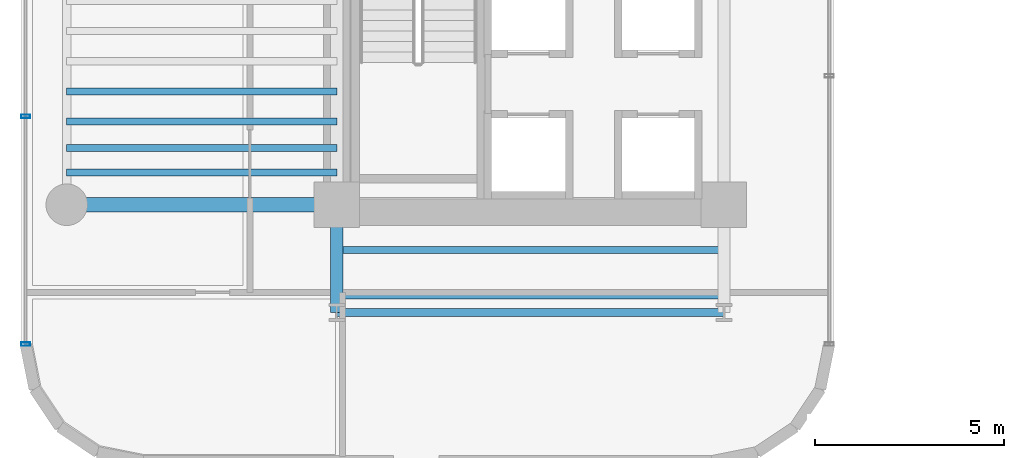
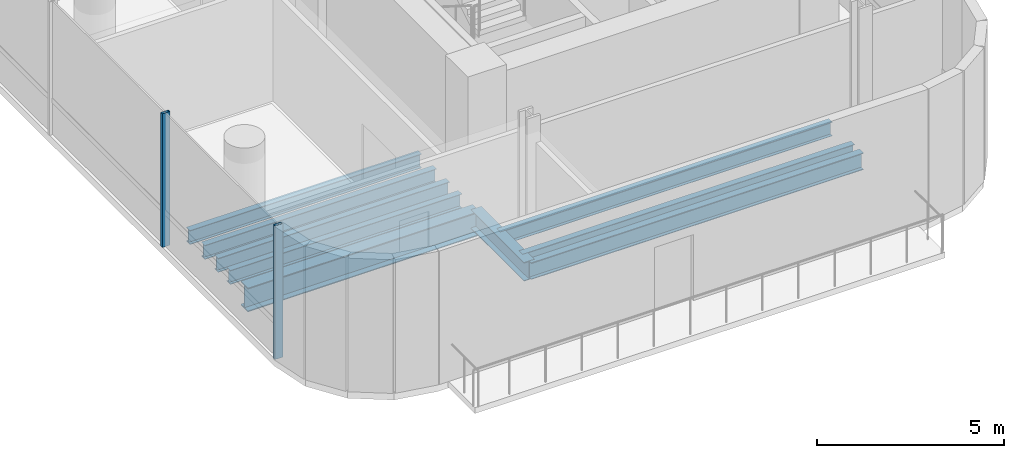
# One storey, part 2 of 32: 9 beams, 2 members, 1 element without a shape of its own.
"""IFC4 building model written with IfcOpenShell, lengths in metres."""

import ifcopenshell
import ifcopenshell.guid

model = None  # the IFC model being written
_history = None  # IfcOwnerHistory: only IFC2X3 demands one
_inside = {}  # id of a spatial element -> (the spatial element, [elements in it])
_under = {}  # id of a project, library or spatial element -> (it, [spatial elements below it])
_declared = {}  # id of a project -> (the project, [libraries it declares])
_typed = {}  # id of a type object -> (the type object, [elements of that type])
_made_of = {}  # id of a material, layer set ... -> (it, [elements and type objects made of it])


def new_model(schema):
    """Start an empty IFC model of exactly this schema.

    Asked for "IFC4X3", IfcOpenShell would pick the latest addendum, in which some entities
    have other attributes; the version numbers below select the first issue.
    IFC2X3 requires an IfcOwnerHistory on every rooted entity: one is made here for all.
    """
    global model, _history
    if schema == "IFC4X3":
        model = ifcopenshell.file(schema_version=(4, 3, 0, 0))
    else:
        model = ifcopenshell.file(schema=schema)
    _inside.clear()
    _under.clear()
    _declared.clear()
    _typed.clear()
    _made_of.clear()
    _history = None
    if model.schema == "IFC2X3":
        org = make("IfcOrganization", Name="unknown")
        user = make(
            "IfcPersonAndOrganization",
            ThePerson=make("IfcPerson", FamilyName="unknown"),
            TheOrganization=org,
        )
        app = make(
            "IfcApplication",
            ApplicationDeveloper=org,
            Version="unknown",
            ApplicationFullName="unknown",
            ApplicationIdentifier="unknown",
        )
        _history = make(
            "IfcOwnerHistory",
            OwningUser=user,
            OwningApplication=app,
            ChangeAction="ADDED",
            CreationDate=0,
        )
    return model


def make(cls, **values):
    """One entity of the class cls with the attributes given. An attribute that is None is left unset."""
    return model.create_entity(
        cls, **{name: value for name, value in values.items() if value is not None}
    )


def rooted(cls, **values):
    """An entity with a GlobalId (a new one), such as an element, a storey or a relation."""
    return make(cls, GlobalId=ifcopenshell.guid.new(), OwnerHistory=_history, **values)


def si_unit(unit_type, name, prefix=None):
    """IfcSIUnit, for example si_unit("LENGTHUNIT", "METRE", prefix="MILLI")."""
    return make("IfcSIUnit", UnitType=unit_type, Prefix=prefix, Name=name)


def assignment(units):
    """IfcUnitAssignment: the units of a project."""
    return None if units is None else make("IfcUnitAssignment", Units=units)


def point(xyz):
    """IfcCartesianPoint."""
    return None if xyz is None else make("IfcCartesianPoint", Coordinates=xyz)


def direction(xyz):
    """IfcDirection."""
    return None if xyz is None else make("IfcDirection", DirectionRatios=xyz)


def frame(location, z_axis=None, x_axis=None):
    """IfcAxis2Placement3D, a coordinate frame: its origin and axes. An axis left out is left unset."""
    return make(
        "IfcAxis2Placement3D",
        Location=point(location),
        Axis=direction(z_axis),
        RefDirection=direction(x_axis),
    )


def frame_2d(location, x_axis=None):
    """IfcAxis2Placement2D, a coordinate frame in the plane: its origin and x axis."""
    return make(
        "IfcAxis2Placement2D", Location=point(location), RefDirection=direction(x_axis)
    )


def origin():
    """The frame at (0, 0, 0) with its axes left unset."""
    return frame((0.0, 0.0, 0.0))


def origin_2d():
    """The frame at (0, 0) in the plane with its x axis left unset."""
    return frame_2d((0.0, 0.0))


def place(relative_to, where):
    """IfcLocalPlacement: puts the frame where relative to a parent placement (None: the world)."""
    return make(
        "IfcLocalPlacement", PlacementRelTo=relative_to, RelativePlacement=where
    )


def context(
    kind, dimensions, precision=None, world=None, true_north=None, identifier=None
):
    """IfcGeometricRepresentationContext, for example the 3D "Model" context."""
    return make(
        "IfcGeometricRepresentationContext",
        ContextIdentifier=identifier,
        ContextType=kind,
        CoordinateSpaceDimension=dimensions,
        Precision=precision,
        WorldCoordinateSystem=world,
        TrueNorth=true_north,
    )


def subcontext(parent, identifier, kind, view, scale=None):
    """IfcGeometricRepresentationSubContext, for example "Body" below "Model"."""
    return make(
        "IfcGeometricRepresentationSubContext",
        ContextIdentifier=identifier,
        ContextType=kind,
        ParentContext=parent,
        TargetScale=scale,
        TargetView=view,
    )


def project(units=None, contexts=None):
    """IfcProject with its units and contexts."""
    return rooted(
        "IfcProject",
        Name="project",
        RepresentationContexts=contexts,
        UnitsInContext=assignment(units),
    )


def spatial(cls, under=None, at=None, **own):
    """A site, building, storey or space (cls), placed at a placement, below another one or the project."""
    s = rooted(cls, ObjectPlacement=at, **own)
    if under is not None:
        _under.setdefault(under.id(), (under, []))[1].append(s)
    return s


def profile(cls, at=None, kind="AREA", **sizes):
    """A parametric profile (cls). Its sizes go by their IFC names, for example OverallWidth=200.0."""
    return make(cls, ProfileType=kind, Position=at, **sizes)


def hollow_rectangle(**sizes):
    """IfcRectangleHollowProfileDef."""
    return profile("IfcRectangleHollowProfileDef", **sizes)


def i_section(**sizes):
    """IfcIShapeProfileDef."""
    return profile("IfcIShapeProfileDef", **sizes)


def extrude(swept, where, along, depth):
    """IfcExtrudedAreaSolid: the profile swept, set in the frame where, extruded along a direction by depth."""
    return make(
        "IfcExtrudedAreaSolid",
        SweptArea=swept,
        Position=where,
        ExtrudedDirection=direction(along),
        Depth=depth,
    )


def shape(context_of_items, identifier, shape_type, items):
    """IfcShapeRepresentation: the items that make up one representation, for example the "Body"."""
    return make(
        "IfcShapeRepresentation",
        ContextOfItems=context_of_items,
        RepresentationIdentifier=identifier,
        RepresentationType=shape_type,
        Items=items,
    )


def source(mapping_origin, context_of_items, identifier, shape_type, items):
    """IfcRepresentationMap: a shape defined once, which mapped items show again and again."""
    return make(
        "IfcRepresentationMap",
        MappingOrigin=mapping_origin,
        MappedRepresentation=shape(context_of_items, identifier, shape_type, items),
    )


def transform(
    local_origin,
    x_axis=None,
    y_axis=None,
    z_axis=None,
    scale=None,
    scale2=None,
    scale3=None,
    uniform=True,
):
    """IfcCartesianTransformationOperator3D, or its non-uniform kind. x_axis, y_axis, z_axis: its Axis1, 2, 3."""
    if uniform:
        return make(
            "IfcCartesianTransformationOperator3D",
            Axis1=direction(x_axis),
            Axis2=direction(y_axis),
            LocalOrigin=point(local_origin),
            Scale=scale,
            Axis3=direction(z_axis),
        )
    return make(
        "IfcCartesianTransformationOperator3DnonUniform",
        Axis1=direction(x_axis),
        Axis2=direction(y_axis),
        LocalOrigin=point(local_origin),
        Scale=scale,
        Axis3=direction(z_axis),
        Scale2=scale2,
        Scale3=scale3,
    )


def mapped(mapping_source, mapping_target):
    """IfcMappedItem: shows the shape of a source again, moved by a transform."""
    return make(
        "IfcMappedItem", MappingSource=mapping_source, MappingTarget=mapping_target
    )


def material(Name=None, Category=None):
    """IfcMaterial."""
    return make("IfcMaterial", Name=Name, Category=Category)


def material_profile(
    of_material, cross_section, Name=None, Category=None, Priority=None
):
    """IfcMaterialProfile: a cross section and its material."""
    return make(
        "IfcMaterialProfile",
        Name=Name,
        Material=of_material,
        Profile=cross_section,
        Priority=Priority,
        Category=Category,
    )


def profile_set(profiles, Name=None, composite=None):
    """IfcMaterialProfileSet."""
    return make(
        "IfcMaterialProfileSet",
        Name=Name,
        MaterialProfiles=profiles,
        CompositeProfile=composite,
    )


def made_of(thing, what):
    """Note that an element or type object is made of a material, layer set ...; save() writes the relation."""
    if what is not None:
        _made_of.setdefault(what.id(), (what, []))[1].append(thing)
    return thing


def type_object(cls, material=None, **own):
    """A type object (cls), such as IfcWallType, which elements share."""
    return made_of(rooted(cls, **own), material)


def element(
    cls,
    number,
    at=None,
    inside=None,
    cuts=None,
    type_object=None,
    material=None,
    context=None,
    identifier="Body",
    shape_type=None,
    held_by="IfcProductDefinitionShape",
    body=None,
    shapes=None,
    **own,
):
    """One element of the class cls, such as IfcWall. Its Tag is "e" and its number.

    at: its placement. inside: the storey or other place that contains it. cuts: it is an
    opening in that element (IfcRelVoidsElement). A single representation is given by context,
    identifier, shape_type and body (its items); several are given by shapes. held_by: the class
    of the entity that holds the representations. save() writes the other relations.
    """
    e = rooted(cls, Tag="e%d" % number, ObjectPlacement=at, **own)
    if body is not None:
        shapes = [shape(context, identifier, shape_type, body)]
    if shapes is not None:
        e.Representation = make(held_by, Representations=shapes)
    if inside is not None:
        _inside.setdefault(inside.id(), (inside, []))[1].append(e)
    if cuts is not None:
        rooted(
            "IfcRelVoidsElement", RelatingBuildingElement=cuts, RelatedOpeningElement=e
        )
    if type_object is not None:
        _typed.setdefault(type_object.id(), (type_object, []))[1].append(e)
    return made_of(e, material)


def aggregate(whole, parts):
    """IfcRelAggregates: a whole, such as a stair, and the parts it consists of."""
    return rooted("IfcRelAggregates", RelatingObject=whole, RelatedObjects=parts)


def save(model, path):
    """Write the relations noted so far, then the file.

    IfcRelAggregates (storeys below a building ...), IfcRelContainedInSpatialStructure (elements
    in a storey), IfcRelDefinesByType, IfcRelAssociatesMaterial and IfcRelDeclares: one each for
    every whole, place, type object, material and project.
    """
    for whole, parts in _under.values():
        aggregate(whole, parts)
    for where, things in _inside.values():
        rooted(
            "IfcRelContainedInSpatialStructure",
            RelatedElements=things,
            RelatingStructure=where,
        )
    for kind, things in _typed.values():
        rooted("IfcRelDefinesByType", RelatedObjects=things, RelatingType=kind)
    for what, things in _made_of.values():
        rooted("IfcRelAssociatesMaterial", RelatedObjects=things, RelatingMaterial=what)
    for by, libraries in _declared.values():
        rooted("IfcRelDeclares", RelatingContext=by, RelatedDefinitions=libraries)
    model.write(path)


model = new_model("IFC4")

# Units and contexts
model_context = context("Model", 3, precision=1e-05, world=origin(), true_north=direction((0.0, 1.0)))
body_context = subcontext(model_context, "Body", "Model", "MODEL_VIEW")
ifc_project = project(units=[si_unit("LENGTHUNIT", "METRE"), si_unit("AREAUNIT", "SQUARE_METRE"), si_unit("VOLUMEUNIT", "CUBIC_METRE"), si_unit("PLANEANGLEUNIT", "RADIAN"), si_unit("MASSUNIT", "GRAM", prefix="KILO")], contexts=[model_context])

# Site, building, storey
site_placement = place(None, origin())
site = spatial("IfcSite", under=ifc_project, at=site_placement, CompositionType="ELEMENT")
building_placement = place(site_placement, origin())
building = spatial("IfcBuilding", under=site, at=building_placement, Name="Valdorenza Pilgrim Sanctuary Tower", CompositionType="ELEMENT")
storey_placement = place(building_placement, frame((0.0, 0.0, 101.10009765625)))
storey = spatial("IfcBuildingStorey", under=building, at=storey_placement, Name="L25", CompositionType="ELEMENT", Elevation=101.10009765625)

# Beams
ifc_material_1 = material(Name="Steel ASTM A992 Grade 50", Category="steel")
ifc_material_profile_1 = material_profile(ifc_material_1, i_section(OverallWidth=0.214111328125, OverallDepth=0.549072265625, WebThickness=0.0146484375, FlangeThickness=0.023681640625, at=origin_2d()), Name="W21X93")
ifc_profile_set_1 = profile_set([ifc_material_profile_1], Name="Steel ASTM A992 Grade 50")
beam_type_1 = type_object("IfcBeamType", Name="STR-BM-SPN-W21A", PredefinedType="SPANDREL", material=ifc_profile_set_1)
shared_shape_1 = source(origin(), body_context, "Body", "SweptSolid", [
    extrude(i_section(OverallWidth=0.214111328125, OverallDepth=0.549072265625, WebThickness=0.0146484375, FlangeThickness=0.023681640625, at=origin_2d()), origin(), (0.0, 0.0, 1.0), 10.25),
])
beam_1_placement = place(storey_placement, frame((-22.64990234375, -13.449951171875, -0.5146484375), z_axis=(1.0, 0.0, 0.0), x_axis=(0.0, 1.0, 0.0)))
element("IfcBeam", 1, at=beam_1_placement, inside=storey, type_object=beam_type_1, Name="L25 South Spandrel WA-S-TIE", PredefinedType="SPANDREL", context=body_context, shape_type="MappedRepresentation", body=[
    mapped(shared_shape_1, transform((0.0, 0.0, 0.0), x_axis=(1.0, 0.0, 0.0), y_axis=(0.0, 1.0, 0.0), z_axis=(0.0, 0.0, 1.0), scale=1.0)),
])
ifc_material_profile_2 = material_profile(ifc_material_1, i_section(OverallWidth=0.323974609375, OverallDepth=0.611083984375, WebThickness=0.0126953125, FlangeThickness=0.01904296875, at=origin_2d()), Name="W24X104")
ifc_profile_set_2 = profile_set([ifc_material_profile_2], Name="Steel ASTM A992 Grade 50")
beam_type_2 = type_object("IfcBeamType", Name="STR-BM-GRD-W24B", PredefinedType="BEAM", material=ifc_profile_set_2)
shared_shape_2 = source(origin(), body_context, "Body", "SweptSolid", [
    extrude(i_section(OverallWidth=0.323974609375, OverallDepth=0.611083984375, WebThickness=0.0126953125, FlangeThickness=0.01904296875, at=origin_2d()), origin(), (0.0, 0.0, 1.0), 2.849853515625),
])
beam_2_placement = place(storey_placement, frame((-22.64990234375, -13.449951171875, -0.545654296875), z_axis=(0.0, 1.0, 0.0), x_axis=(-1.0, 0.0, 0.0)))
element("IfcBeam", 2, at=beam_2_placement, inside=storey, type_object=beam_type_2, Name="L25 Floor Girder WA-S-LW", PredefinedType="BEAM", context=body_context, shape_type="MappedRepresentation", body=[
    mapped(shared_shape_2, transform((0.0, 0.0, 0.0), x_axis=(1.0, 0.0, 0.0), y_axis=(0.0, 1.0, 0.0), z_axis=(0.0, 0.0, 1.0), scale=1.0)),
])
ifc_material_profile_3 = material_profile(ifc_material_1, i_section(OverallWidth=0.382080078125, OverallDepth=0.779052734375, WebThickness=0.01806640625, FlangeThickness=0.030029296875, at=origin_2d()), Name="W30X191")
ifc_profile_set_3 = profile_set([ifc_material_profile_3], Name="Steel ASTM A992 Grade 50")
beam_type_3 = type_object("IfcBeamType", Name="STR-BM-GRD-W30", PredefinedType="BEAM", material=ifc_profile_set_3)
shared_shape_3 = source(origin(), body_context, "Body", "SweptSolid", [
    extrude(i_section(OverallWidth=0.382080078125, OverallDepth=0.779052734375, WebThickness=0.01806640625, FlangeThickness=0.030029296875, at=origin_2d()), origin(), (0.0, 0.0, 1.0), 7.150146484375),
])
beam_3_placement = place(storey_placement, frame((-29.800048828125, -10.60009765625, -0.629638671875), z_axis=(1.0, 0.0, 0.0), x_axis=(0.0, 1.0, 0.0)))
element("IfcBeam", 3, at=beam_3_placement, inside=storey, type_object=beam_type_3, Name="L25 Floor Girder WA-XW-S1", PredefinedType="BEAM", context=body_context, shape_type="MappedRepresentation", body=[
    mapped(shared_shape_3, transform((0.0, 0.0, 0.0), x_axis=(1.0, 0.0, 0.0), y_axis=(0.0, 1.0, 0.0), z_axis=(0.0, 0.0, 1.0), scale=1.0)),
])
ifc_material_profile_4 = material_profile(ifc_material_1, i_section(OverallWidth=0.19091796875, OverallDepth=0.45703125, WebThickness=0.009033203125, FlangeThickness=0.014404296875, at=origin_2d()), Name="W18X50")
ifc_profile_set_4 = profile_set([ifc_material_profile_4], Name="Steel ASTM A992 Grade 50")
beam_type_4 = type_object("IfcBeamType", Name="STR-BM-JST-W18B", PredefinedType="JOIST", material=ifc_profile_set_4)
shared_shape_4 = source(origin(), body_context, "Body", "SweptSolid", [
    extrude(i_section(OverallWidth=0.19091796875, OverallDepth=0.45703125, WebThickness=0.009033203125, FlangeThickness=0.014404296875, at=origin_2d()), origin(), (0.0, 0.0, 1.0), 10.25),
])
for number, where, z_axis, x_axis, name in (
    (4, (-22.64990234375, -13.0, -0.468505859375), (1.0, 0.0, 0.0), (0.0, 1.0, 0.0), "L25 Composite Floor Joist JST-WAS-1"),
    (5, (-22.64990234375, -11.800048828125, -0.468505859375), (1.0, 0.0, 0.0), (0.0, 1.0, 0.0), "L25 Composite Floor Joist JST-WAS-2"),
):
    element("IfcBeam", number, at=place(storey_placement, frame(where, z_axis=z_axis, x_axis=x_axis)), inside=storey, type_object=beam_type_4, Name=name, PredefinedType="JOIST", context=body_context, shape_type="MappedRepresentation", body=[
        mapped(shared_shape_4, transform((0.0, 0.0, 0.0), x_axis=(1.0, 0.0, 0.0), y_axis=(0.0, 1.0, 0.0), z_axis=(0.0, 0.0, 1.0), scale=1.0)),
    ])
shared_shape_5 = source(origin(), body_context, "Body", "SweptSolid", [
    extrude(i_section(OverallWidth=0.19091796875, OverallDepth=0.45703125, WebThickness=0.009033203125, FlangeThickness=0.014404296875, at=origin_2d()), origin(), (0.0, 0.0, 1.0), 7.150146484375),
])
for number, where, z_axis, x_axis, name in (
    (6, (-29.800048828125, -9.75, -0.468505859375), (1.0, 0.0, 0.0), (0.0, 1.0, 0.0), "L25 Composite Floor Joist JST-WA-1"),
    (7, (-29.800048828125, -9.10009765625, -0.468505859375), (1.0, 0.0, 0.0), (0.0, 1.0, 0.0), "L25 Composite Floor Joist JST-WA-2"),
    (8, (-29.800048828125, -8.39990234375, -0.468505859375), (1.0, 0.0, 0.0), (0.0, 1.0, 0.0), "L25 Composite Floor Joist JST-WA-3"),
    (9, (-29.800048828125, -7.60009765625, -0.468505859375), (1.0, 0.0, 0.0), (0.0, 1.0, 0.0), "L25 Composite Floor Joist JST-WA-4"),
):
    element("IfcBeam", number, at=place(storey_placement, frame(where, z_axis=z_axis, x_axis=x_axis)), inside=storey, type_object=beam_type_4, Name=name, PredefinedType="JOIST", context=body_context, shape_type="MappedRepresentation", body=[
        mapped(shared_shape_5, transform((0.0, 0.0, 0.0), x_axis=(1.0, 0.0, 0.0), y_axis=(0.0, 1.0, 0.0), z_axis=(0.0, 0.0, 1.0), scale=1.0)),
    ])

# Curtain wall, members
ifc_material_2 = material(Name="Curtain-wall IGU glazing", Category="glass")
curtain_wall_type = type_object("IfcCurtainWallType", Name="CW-SYS-04", PredefinedType="NOTDEFINED", material=ifc_material_2)
curtain_wall_placement = place(storey_placement, origin())
curtain_wall = element("IfcCurtainWall", 10, at=curtain_wall_placement, inside=storey, type_object=curtain_wall_type, Name="L25 Curtain Wall CW-L25-1-1", PredefinedType="NOTDEFINED")
ifc_material_3 = material(Name="Anodised aluminium AW-6060", Category="aluminium")
ifc_material_profile_5 = material_profile(ifc_material_3, hollow_rectangle(XDim=0.090087890625, YDim=0.239990234375, WallThickness=0.0048828125, at=origin_2d()), Name="ALU-M 240x90x5")
ifc_profile_set_5 = profile_set([ifc_material_profile_5], Name="Anodised aluminium AW-6060")
member_type = type_object("IfcMemberType", Name="CW-MUL-04", PredefinedType="MULLION", material=ifc_profile_set_5)
shared_shape_6 = source(origin(), body_context, "Body", "SweptSolid", [
    extrude(hollow_rectangle(XDim=0.090087890625, YDim=0.239990234375, WallThickness=0.0048828125, at=origin_2d()), origin(), (0.0, 0.0, 1.0), 4.35986328125),
])
member_1_placement = place(storey_placement, frame((-30.889892578125, -14.289306640625, 0.0), z_axis=(0.0, 0.0, 1.0), x_axis=(0.0, 1.0, 0.0)))
member_1 = element("IfcMember", 11, at=member_1_placement, type_object=member_type, Name="CW-L25-1-1 Mullion 1", PredefinedType="MULLION", context=body_context, shape_type="MappedRepresentation", body=[
    mapped(shared_shape_6, transform((0.0, 0.0, 0.0), x_axis=(1.0, 0.0, 0.0), y_axis=(0.0, 1.0, 0.0), z_axis=(0.0, 0.0, 1.0), scale=1.0)),
])
member_2_placement = place(storey_placement, frame((-30.889892578125, -8.26123046875, 0.0), z_axis=(0.0, 0.0, 1.0), x_axis=(0.0, 1.0, 0.0)))
member_2 = element("IfcMember", 12, at=member_2_placement, type_object=member_type, Name="CW-L25-1-1 Mullion 2", PredefinedType="MULLION", context=body_context, shape_type="MappedRepresentation", body=[
    mapped(shared_shape_6, transform((0.0, 0.0, 0.0), x_axis=(1.0, 0.0, 0.0), y_axis=(0.0, 1.0, 0.0), z_axis=(0.0, 0.0, 1.0), scale=1.0)),
])
aggregate(curtain_wall, [member_1, member_2])

save(model, "model.ifc")
